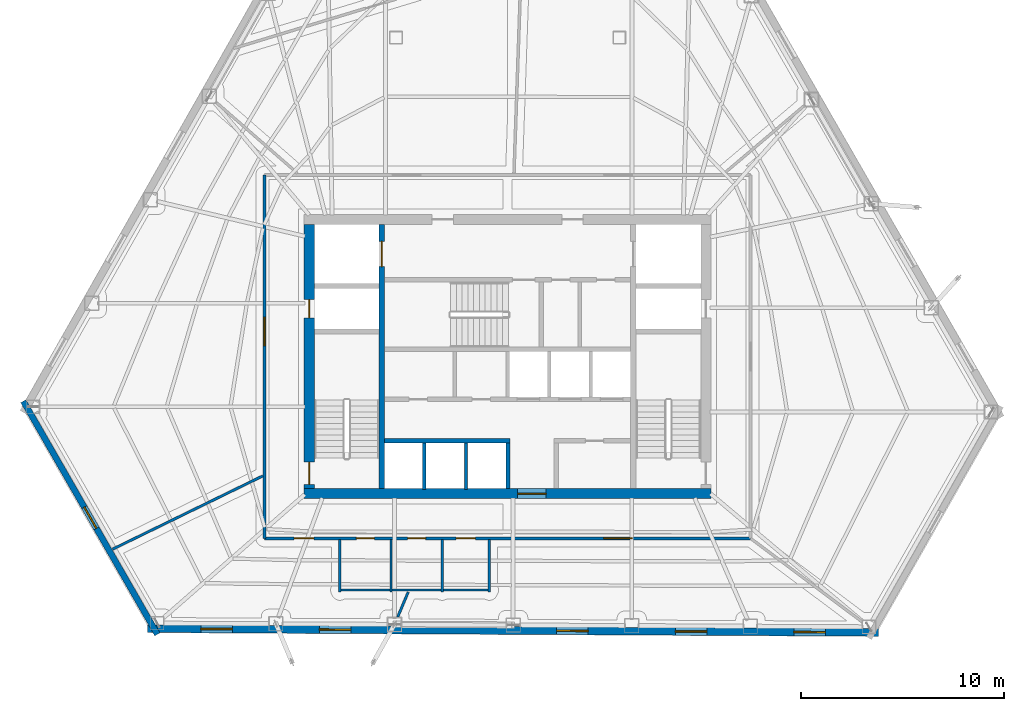
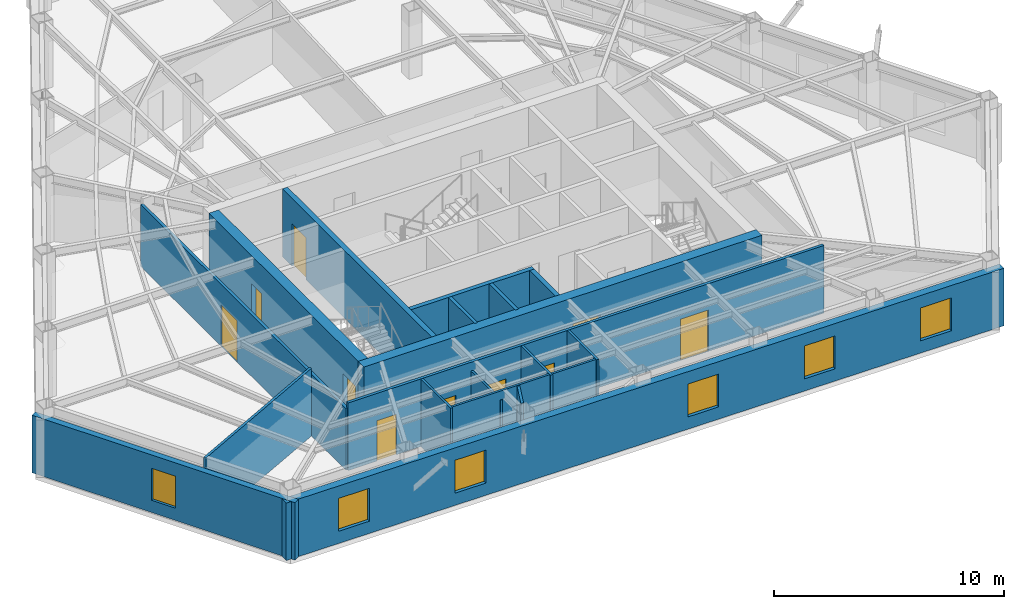
# One storey, part 7 of 13: 18 walls, 10 doors, 6 windows, 16 openings.
"""IFC4 building model written with IfcOpenShell, lengths in metres."""

from ifc_helpers import new_model, si_unit, direction, frame, frame_2d, origin, place, context, subcontext, project, spatial, rectangle, extrude, material, layer, layer_set, type_object, element, fill, save


model = new_model("IFC4")

# Units and contexts
model_context = context("Model", 3, precision=1e-05, world=origin(), true_north=direction((0.0, 1.0)))
body_context = subcontext(model_context, "Body", "Model", "MODEL_VIEW")
ifc_project = project(units=[si_unit("LENGTHUNIT", "METRE"), si_unit("AREAUNIT", "SQUARE_METRE"), si_unit("VOLUMEUNIT", "CUBIC_METRE"), si_unit("PLANEANGLEUNIT", "RADIAN"), si_unit("MASSUNIT", "GRAM", prefix="KILO")], contexts=[model_context])

# Site, building, storey
site_placement = place(None, origin())
site = spatial("IfcSite", under=ifc_project, at=site_placement, CompositionType="ELEMENT")
building_placement = place(site_placement, origin())
building = spatial("IfcBuilding", under=site, at=building_placement, Name="Kavelnor Concourse Tower", CompositionType="ELEMENT")
storey_placement = place(building_placement, frame((0.0, 0.0, 108.60009765625)))
storey = spatial("IfcBuildingStorey", under=building, at=storey_placement, Name="L27", CompositionType="ELEMENT", Elevation=108.60009765625)

# Wall, opening, door
ifc_material_1 = material(Name="Concrete C60/75", Category="concrete")
ifc_layer_1 = layer(ifc_material_1, 0.5, Name="Concrete C60/75")
ifc_layer_set_1 = layer_set([ifc_layer_1], Name="Concrete C60/75")
wall_type_1 = type_object("IfcWallType", Name="WL-CORE-Z2-500", PredefinedType="SOLIDWALL", material=ifc_layer_set_1)
wall_1_placement = place(storey_placement, frame((27.97998046875, 9.35009765625, 0.0), z_axis=(0.0, 0.0, 1.0), x_axis=(1.0, 0.0, 0.0)))
wall_1 = element("IfcWall", 1, at=wall_1_placement, inside=storey, type_object=wall_type_1, Name="L27 Central Core South Shear Wall", PredefinedType="SOLIDWALL", context=body_context, shape_type="SweptSolid", body=[
    extrude(rectangle(XDim=20.0400390625, YDim=0.5, at=frame_2d((10.02001953125, 0.0))), origin(), (0.0, 0.0, 1.0), 3.599853515625),
])
opening_1_placement = place(wall_1_placement, frame((10.52001953125, 0.0, 0.0)))
opening_1 = element("IfcOpeningElement", 2, at=opening_1_placement, cuts=wall_1, Name="Opening SD-140", PredefinedType="OPENING", context=body_context, shape_type="SweptSolid", body=[
    extrude(rectangle(XDim=1.39990234375, YDim=2.199951171875, at=frame_2d((0.699951171875, 1.10009765625))), frame((0.0, 0.260009765625, 0.0), z_axis=(0.0, -1.0, 0.0), x_axis=(1.0, 0.0, 0.0)), (0.0, 0.0, 1.0), 0.52001953125),
])
ifc_material_2 = material(Name="Solid-core hardwood timber", Category="wood")
door_type_1 = type_object("IfcDoorType", Name="DR-SUITE-ENTRY-1400", OperationType="NOTDEFINED", PredefinedType="DOOR", material=ifc_material_2)
door_1_placement = place(opening_1_placement, origin())
door_1 = element("IfcDoor", 3, at=door_1_placement, inside=storey, type_object=door_type_1, Name="L27 Passenger Lift Lobby Entry Door", OperationType="SINGLE_SWING_RIGHT", OverallHeight=2.199951171875, OverallWidth=1.39990234375, PredefinedType="DOOR", context=body_context, shape_type="SweptSolid", body=[
    extrude(rectangle(XDim=1.39990234375, YDim=2.199951171875, at=frame_2d((0.699951171875, 1.10009765625))), frame((0.0, 0.02490234375, 0.0), z_axis=(0.0, -1.0, 0.0), x_axis=(1.0, 0.0, 0.0)), (0.0, 0.0, 1.0), 0.050048828125),
])
fill(opening_1, door_1)

# Wall, openings, doors
wall_2_placement = place(storey_placement, frame((28.22998046875, 9.60009765625, 0.0), z_axis=(0.0, 0.0, 1.0), x_axis=(0.0, 1.0, 0.0)))
wall_2 = element("IfcWall", 4, at=wall_2_placement, inside=storey, type_object=wall_type_1, Name="L27 Central Core West Shear Wall", PredefinedType="SOLIDWALL", context=body_context, shape_type="SweptSolid", body=[
    extrude(rectangle(XDim=13.0, YDim=0.5, at=frame_2d((6.5, 0.0))), origin(), (0.0, 0.0, 1.0), 3.599853515625),
])
opening_2_placement = place(wall_2_placement, frame((0.199951171875, 0.0, 0.0)))
opening_2 = element("IfcOpeningElement", 5, at=opening_2_placement, cuts=wall_2, Name="Opening FD-110", PredefinedType="OPENING", context=body_context, shape_type="SweptSolid", body=[
    extrude(rectangle(XDim=1.10009765625, YDim=2.14990234375, at=frame_2d((0.550048828125, 1.074951171875))), frame((0.0, 0.260009765625, 0.0), z_axis=(0.0, -1.0, 0.0), x_axis=(1.0, 0.0, 0.0)), (0.0, 0.0, 1.0), 0.52001953125),
])
opening_3_placement = place(wall_2_placement, frame((8.39990234375, 0.0, 0.0)))
opening_3 = element("IfcOpeningElement", 6, at=opening_3_placement, cuts=wall_2, Name="Opening FD-090", PredefinedType="OPENING", context=body_context, shape_type="SweptSolid", body=[
    extrude(rectangle(XDim=0.89990234375, YDim=2.10009765625, at=frame_2d((0.449951171875, 1.050048828125))), frame((0.0, 0.260009765625, 0.0), z_axis=(0.0, -1.0, 0.0), x_axis=(1.0, 0.0, 0.0)), (0.0, 0.0, 1.0), 0.52001953125),
])
ifc_material_3 = material(Name="Steel Grade 350", Category="steel")
door_type_2 = type_object("IfcDoorType", Name="DR-RISER-FIRE-900", OperationType="NOTDEFINED", PredefinedType="DOOR", material=ifc_material_3)
door_2_placement = place(opening_3_placement, origin())
door_2 = element("IfcDoor", 7, at=door_2_placement, inside=storey, type_object=door_type_2, Name="L27 West Riser Access Door", OperationType="SINGLE_SWING_RIGHT", OverallHeight=2.10009765625, OverallWidth=0.89990234375, PredefinedType="DOOR", context=body_context, shape_type="SweptSolid", body=[
    extrude(rectangle(XDim=0.89990234375, YDim=2.10009765625, at=frame_2d((0.449951171875, 1.050048828125))), frame((0.0, 0.02490234375, 0.0), z_axis=(0.0, -1.0, 0.0), x_axis=(1.0, 0.0, 0.0)), (0.0, 0.0, 1.0), 0.050048828125),
])
fill(opening_3, door_2)
door_type_3 = type_object("IfcDoorType", Name="DR-STAIR-FIRE-1100", OperationType="NOTDEFINED", PredefinedType="DOOR", material=ifc_material_3)
door_3_placement = place(opening_2_placement, origin())
door_3 = element("IfcDoor", 8, at=door_3_placement, inside=storey, type_object=door_type_3, Name="L27 Stair ST1 Fire Door", OperationType="SINGLE_SWING_LEFT", OverallHeight=2.14990234375, OverallWidth=1.10009765625, PredefinedType="DOOR", context=body_context, shape_type="SweptSolid", body=[
    extrude(rectangle(XDim=1.10009765625, YDim=2.14990234375, at=frame_2d((0.550048828125, 1.074951171875))), frame((0.0, 0.02490234375, 0.0), z_axis=(0.0, -1.0, 0.0), x_axis=(1.0, 0.0, 0.0)), (0.0, 0.0, 1.0), 0.050048828125),
])
fill(opening_2, door_3)

# Wall, opening, window
ifc_material_4 = material(Name="Buff ironspot clay face brick masonry", Category="masonry")
ifc_layer_2 = layer(ifc_material_4, 0.300048828125, Name="Buff ironspot clay face brick masonry")
ifc_layer_set_2 = layer_set([ifc_layer_2], Name="Buff ironspot clay face brick masonry")
wall_type_2 = type_object("IfcWallType", Name="WL-EXT-BUFF-BRICK-FOLD-300", PredefinedType="STANDARD", material=ifc_layer_set_2)
wall_3_placement = place(storey_placement, frame((20.75439453125, 2.41943359375, 0.0), z_axis=(0.0, 0.0, 1.0), x_axis=(-0.49837034912, 0.866964240969, 0.0)))
wall_3 = element("IfcWall", 9, at=wall_3_placement, inside=storey, type_object=wall_type_2, Name="L27 Exterior Brick Facade Wall E2", PredefinedType="STANDARD", context=body_context, shape_type="SweptSolid", body=[
    extrude(rectangle(XDim=13.245849609375, YDim=0.300048828125, at=frame_2d((6.623046875, 0.0))), origin(), (0.0, 0.0, 1.0), 3.058837890625),
])
opening_4_placement = place(wall_3_placement, frame((6.02294921875, 0.0, 0.64990234375)))
opening_4 = element("IfcOpeningElement", 10, at=opening_4_placement, cuts=wall_3, Name="Opening W-05", PredefinedType="OPENING", context=body_context, shape_type="SweptSolid", body=[
    extrude(rectangle(XDim=1.199951171875, YDim=1.699951171875, at=frame_2d((0.60009765625, 0.85009765625))), frame((0.0, 0.16015625, 0.0), z_axis=(0.0, -1.0, 0.0), x_axis=(1.0, 0.0, 0.0)), (0.0, 0.0, 1.0), 0.320068359375),
])
ifc_material_5 = material(Name="Double low-E argon insulated glazing", Category="glass")
window_type_1 = type_object("IfcWindowType", Name="WIN-FOLD-1200", PartitioningType="SINGLE_PANEL", PredefinedType="WINDOW", material=ifc_material_5)
window_1_placement = place(opening_4_placement, origin())
window_1 = element("IfcWindow", 11, at=window_1_placement, inside=storey, type_object=window_type_1, Name="L27 Chamfer-Fold Facet Window C1", OverallHeight=1.699951171875, OverallWidth=1.199951171875, PartitioningType="SINGLE_PANEL", PredefinedType="WINDOW", context=body_context, shape_type="SweptSolid", body=[
    extrude(rectangle(XDim=1.199951171875, YDim=1.699951171875, at=frame_2d((0.60009765625, 0.85009765625))), frame((0.0, 0.030029296875, 0.0), z_axis=(0.0, -1.0, 0.0), x_axis=(1.0, 0.0, 0.0)), (0.0, 0.0, 1.0), 0.06005859375),
])
fill(opening_4, window_1)

# Wall, openings, windows
ifc_material_6 = material(Name="Red-ochre clay face brick masonry", Category="masonry")
ifc_layer_3 = layer(ifc_material_6, 0.3798828125, Name="Red-ochre clay face brick masonry")
ifc_layer_set_3 = layer_set([ifc_layer_3], Name="Red-ochre clay face brick masonry")
wall_type_3 = type_object("IfcWallType", Name="WL-EXT-RED-BRICK-PIER-380", PredefinedType="STANDARD", material=ifc_layer_set_3)
wall_4_placement = place(storey_placement, frame((56.27685546875, 2.512451171875, 0.0), z_axis=(0.0, 0.0, 1.0), x_axis=(-0.999986545033, 0.005187461141, 0.0)))
wall_4 = element("IfcWall", 12, at=wall_4_placement, inside=storey, type_object=wall_type_3, Name="L27 Exterior Brick Facade Wall E3", PredefinedType="STANDARD", context=body_context, shape_type="SweptSolid", body=[
    extrude(rectangle(XDim=36.003662109375, YDim=0.3798828125, at=frame_2d((18.001953125, 0.0))), origin(), (0.0, 0.0, 1.0), 3.058837890625),
])
opening_5_placement = place(wall_4_placement, frame((31.83203125, 0.0, 0.64990234375)))
opening_5 = element("IfcOpeningElement", 13, at=opening_5_placement, cuts=wall_4, Name="Opening W-02", PredefinedType="OPENING", context=body_context, shape_type="SweptSolid", body=[
    extrude(rectangle(XDim=1.550048828125, YDim=1.75, at=frame_2d((0.77490234375, 0.875))), frame((0.0, 0.199951171875, 0.0), z_axis=(0.0, -1.0, 0.0), x_axis=(1.0, 0.0, 0.0)), (0.0, 0.0, 1.0), 0.39990234375),
])
opening_6_placement = place(wall_4_placement, frame((25.990966796875, 0.0, 0.64990234375)))
opening_6 = element("IfcOpeningElement", 14, at=opening_6_placement, cuts=wall_4, Name="Opening W-02", PredefinedType="OPENING", context=body_context, shape_type="SweptSolid", body=[
    extrude(rectangle(XDim=1.550048828125, YDim=1.75, at=frame_2d((0.77490234375, 0.875))), frame((0.0, 0.199951171875, 0.0), z_axis=(0.0, -1.0, 0.0), x_axis=(1.0, 0.0, 0.0)), (0.0, 0.0, 1.0), 0.39990234375),
])
opening_7_placement = place(wall_4_placement, frame((14.308837890625, 0.0, 0.64990234375)))
opening_7 = element("IfcOpeningElement", 15, at=opening_7_placement, cuts=wall_4, Name="Opening W-02", PredefinedType="OPENING", context=body_context, shape_type="SweptSolid", body=[
    extrude(rectangle(XDim=1.550048828125, YDim=1.75, at=frame_2d((0.77490234375, 0.875))), frame((0.0, 0.199951171875, 0.0), z_axis=(0.0, -1.0, 0.0), x_axis=(1.0, 0.0, 0.0)), (0.0, 0.0, 1.0), 0.39990234375),
])
opening_8_placement = place(wall_4_placement, frame((8.4677734375, 0.0, 0.64990234375)))
opening_8 = element("IfcOpeningElement", 16, at=opening_8_placement, cuts=wall_4, Name="Opening W-02", PredefinedType="OPENING", context=body_context, shape_type="SweptSolid", body=[
    extrude(rectangle(XDim=1.550048828125, YDim=1.75, at=frame_2d((0.77490234375, 0.875))), frame((0.0, 0.199951171875, 0.0), z_axis=(0.0, -1.0, 0.0), x_axis=(1.0, 0.0, 0.0)), (0.0, 0.0, 1.0), 0.39990234375),
])
opening_9_placement = place(wall_4_placement, frame((2.626708984375, 0.0, 0.64990234375)))
opening_9 = element("IfcOpeningElement", 17, at=opening_9_placement, cuts=wall_4, Name="Opening W-02", PredefinedType="OPENING", context=body_context, shape_type="SweptSolid", body=[
    extrude(rectangle(XDim=1.550048828125, YDim=1.75, at=frame_2d((0.77490234375, 0.875))), frame((0.0, 0.199951171875, 0.0), z_axis=(0.0, -1.0, 0.0), x_axis=(1.0, 0.0, 0.0)), (0.0, 0.0, 1.0), 0.39990234375),
])
window_type_2 = type_object("IfcWindowType", Name="WIN-PIER-Z2-1650", PartitioningType="SINGLE_PANEL", PredefinedType="WINDOW", material=ifc_material_5)
window_2_placement = place(opening_5_placement, origin())
window_2 = element("IfcWindow", 18, at=window_2_placement, inside=storey, type_object=window_type_2, Name="L27 Deep-Set Brick Pier Window F1-B0", OverallHeight=1.75, OverallWidth=1.550048828125, PartitioningType="SINGLE_PANEL", PredefinedType="WINDOW", context=body_context, shape_type="SweptSolid", body=[
    extrude(rectangle(XDim=1.550048828125, YDim=1.75, at=frame_2d((0.77490234375, 0.875))), frame((0.0, 0.030029296875, 0.0), z_axis=(0.0, -1.0, 0.0), x_axis=(1.0, 0.0, 0.0)), (0.0, 0.0, 1.0), 0.06005859375),
])
fill(opening_5, window_2)
window_3_placement = place(opening_6_placement, origin())
window_3 = element("IfcWindow", 19, at=window_3_placement, inside=storey, type_object=window_type_2, Name="L27 Deep-Set Brick Pier Window F1-B1", OverallHeight=1.75, OverallWidth=1.550048828125, PartitioningType="SINGLE_PANEL", PredefinedType="WINDOW", context=body_context, shape_type="SweptSolid", body=[
    extrude(rectangle(XDim=1.550048828125, YDim=1.75, at=frame_2d((0.77490234375, 0.875))), frame((0.0, 0.030029296875, 0.0), z_axis=(0.0, -1.0, 0.0), x_axis=(1.0, 0.0, 0.0)), (0.0, 0.0, 1.0), 0.06005859375),
])
fill(opening_6, window_3)
window_4_placement = place(opening_7_placement, origin())
window_4 = element("IfcWindow", 20, at=window_4_placement, inside=storey, type_object=window_type_2, Name="L27 Deep-Set Brick Pier Window F1-B3", OverallHeight=1.75, OverallWidth=1.550048828125, PartitioningType="SINGLE_PANEL", PredefinedType="WINDOW", context=body_context, shape_type="SweptSolid", body=[
    extrude(rectangle(XDim=1.550048828125, YDim=1.75, at=frame_2d((0.77490234375, 0.875))), frame((0.0, 0.030029296875, 0.0), z_axis=(0.0, -1.0, 0.0), x_axis=(1.0, 0.0, 0.0)), (0.0, 0.0, 1.0), 0.06005859375),
])
fill(opening_7, window_4)
window_5_placement = place(opening_8_placement, origin())
window_5 = element("IfcWindow", 21, at=window_5_placement, inside=storey, type_object=window_type_2, Name="L27 Deep-Set Brick Pier Window F1-B4", OverallHeight=1.75, OverallWidth=1.550048828125, PartitioningType="SINGLE_PANEL", PredefinedType="WINDOW", context=body_context, shape_type="SweptSolid", body=[
    extrude(rectangle(XDim=1.550048828125, YDim=1.75, at=frame_2d((0.77490234375, 0.875))), frame((0.0, 0.030029296875, 0.0), z_axis=(0.0, -1.0, 0.0), x_axis=(1.0, 0.0, 0.0)), (0.0, 0.0, 1.0), 0.06005859375),
])
fill(opening_8, window_5)
window_6_placement = place(opening_9_placement, origin())
window_6 = element("IfcWindow", 22, at=window_6_placement, inside=storey, type_object=window_type_2, Name="L27 Deep-Set Brick Pier Window F1-B5", OverallHeight=1.75, OverallWidth=1.550048828125, PartitioningType="SINGLE_PANEL", PredefinedType="WINDOW", context=body_context, shape_type="SweptSolid", body=[
    extrude(rectangle(XDim=1.550048828125, YDim=1.75, at=frame_2d((0.77490234375, 0.875))), frame((0.0, 0.030029296875, 0.0), z_axis=(0.0, -1.0, 0.0), x_axis=(1.0, 0.0, 0.0)), (0.0, 0.0, 1.0), 0.06005859375),
])
fill(opening_9, window_6)

# Wall, opening, door
ifc_material_7 = material(Name="Gypsum plasterboard on light-gauge steel studs", Category="steel")
ifc_layer_4 = layer(ifc_material_7, 0.14501953125, Name="Gypsum plasterboard on light-gauge steel studs")
ifc_layer_set_4 = layer_set([ifc_layer_4], Name="Gypsum plasterboard on light-gauge steel studs")
wall_type_4 = type_object("IfcWallType", Name="WL-INT-CORR-145", PredefinedType="PARTITIONING", material=ifc_layer_set_4)
wall_5_placement = place(storey_placement, frame((26.030029296875, 25.050048828125, 0.0), z_axis=(0.0, 0.0, 1.0), x_axis=(0.0, -1.0, 0.0)))
wall_5 = element("IfcWall", 23, at=wall_5_placement, inside=storey, type_object=wall_type_4, Name="L27 Corridor Wall WL-L27-CR-03", PredefinedType="PARTITIONING", context=body_context, shape_type="SweptSolid", body=[
    extrude(rectangle(XDim=17.900146484375, YDim=0.14501953125, at=frame_2d((8.9501953125, 0.0))), origin(), (0.0, 0.0, 1.0), 3.287841796875),
])
opening_10_placement = place(wall_5_placement, frame((7.01611328125, 0.0, 0.0)))
opening_10 = element("IfcOpeningElement", 24, at=opening_10_placement, cuts=wall_5, Name="Opening SD-140", PredefinedType="OPENING", context=body_context, shape_type="SweptSolid", body=[
    extrude(rectangle(XDim=1.39990234375, YDim=2.199951171875, at=frame_2d((0.699951171875, 1.10009765625))), frame((0.0, 0.08251953125, 0.0), z_axis=(0.0, -1.0, 0.0), x_axis=(1.0, 0.0, 0.0)), (0.0, 0.0, 1.0), 0.1650390625),
])
door_4_placement = place(opening_10_placement, origin())
door_4 = element("IfcDoor", 25, at=door_4_placement, inside=storey, type_object=door_type_1, Name="L27 Architectural Design Studio 04 Door", OperationType="SINGLE_SWING_RIGHT", OverallHeight=2.199951171875, OverallWidth=1.39990234375, PredefinedType="DOOR", context=body_context, shape_type="SweptSolid", body=[
    extrude(rectangle(XDim=1.39990234375, YDim=2.199951171875, at=frame_2d((0.699951171875, 1.10009765625))), frame((0.0, 0.02490234375, 0.0), z_axis=(0.0, -1.0, 0.0), x_axis=(1.0, 0.0, 0.0)), (0.0, 0.0, 1.0), 0.050048828125),
])
fill(opening_10, door_4)

# Wall, openings, doors
wall_6_placement = place(storey_placement, frame((26.030029296875, 7.14990234375, 0.0), z_axis=(0.0, 0.0, 1.0), x_axis=(1.0, 0.0, 0.0)))
wall_6 = element("IfcWall", 26, at=wall_6_placement, inside=storey, type_object=wall_type_4, Name="L27 Corridor Wall WL-L27-CR-04", PredefinedType="PARTITIONING", context=body_context, shape_type="SweptSolid", body=[
    extrude(rectangle(XDim=23.93994140625, YDim=0.14501953125, at=frame_2d((11.969970703125, 0.0))), origin(), (0.0, 0.0, 1.0), 3.599853515625),
])
opening_11_placement = place(wall_6_placement, frame((4.530029296875, 0.0, 0.0)))
opening_11 = element("IfcOpeningElement", 27, at=opening_11_placement, cuts=wall_6, Name="Opening WD-088", PredefinedType="OPENING", context=body_context, shape_type="SweptSolid", body=[
    extrude(rectangle(XDim=0.8798828125, YDim=2.10009765625, at=frame_2d((0.43994140625, 1.050048828125))), frame((0.0, 0.08251953125, 0.0), z_axis=(0.0, -1.0, 0.0), x_axis=(1.0, 0.0, 0.0)), (0.0, 0.0, 1.0), 0.1650390625),
])
opening_12_placement = place(wall_6_placement, frame((7.050048828125, 0.0, 0.0)))
opening_12 = element("IfcOpeningElement", 28, at=opening_12_placement, cuts=wall_6, Name="Opening WD-088", PredefinedType="OPENING", context=body_context, shape_type="SweptSolid", body=[
    extrude(rectangle(XDim=0.8798828125, YDim=2.10009765625, at=frame_2d((0.43994140625, 1.050048828125))), frame((0.0, 0.08251953125, 0.0), z_axis=(0.0, -1.0, 0.0), x_axis=(1.0, 0.0, 0.0)), (0.0, 0.0, 1.0), 0.1650390625),
])
opening_13_placement = place(wall_6_placement, frame((9.429931640625, 0.0, 0.0)))
opening_13 = element("IfcOpeningElement", 29, at=opening_13_placement, cuts=wall_6, Name="Opening WD-096", PredefinedType="OPENING", context=body_context, shape_type="SweptSolid", body=[
    extrude(rectangle(XDim=0.9599609375, YDim=2.10009765625, at=frame_2d((0.47998046875, 1.050048828125))), frame((0.0, 0.08251953125, 0.0), z_axis=(0.0, -1.0, 0.0), x_axis=(1.0, 0.0, 0.0)), (0.0, 0.0, 1.0), 0.1650390625),
])
opening_14_placement = place(wall_6_placement, frame((1.45556640625, 0.0, 0.0)))
opening_14 = element("IfcOpeningElement", 30, at=opening_14_placement, cuts=wall_6, Name="Opening OD-098", PredefinedType="OPENING", context=body_context, shape_type="SweptSolid", body=[
    extrude(rectangle(XDim=0.97998046875, YDim=2.14990234375, at=frame_2d((0.489990234375, 1.074951171875))), frame((0.0, 0.08251953125, 0.0), z_axis=(0.0, -1.0, 0.0), x_axis=(1.0, 0.0, 0.0)), (0.0, 0.0, 1.0), 0.1650390625),
])
opening_15_placement = place(wall_6_placement, frame((16.71435546875, 0.0, 0.0)))
opening_15 = element("IfcOpeningElement", 31, at=opening_15_placement, cuts=wall_6, Name="Opening SD-140", PredefinedType="OPENING", context=body_context, shape_type="SweptSolid", body=[
    extrude(rectangle(XDim=1.39990234375, YDim=2.199951171875, at=frame_2d((0.699951171875, 1.10009765625))), frame((0.0, 0.08251953125, 0.0), z_axis=(0.0, -1.0, 0.0), x_axis=(1.0, 0.0, 0.0)), (0.0, 0.0, 1.0), 0.1650390625),
])
door_type_4 = type_object("IfcDoorType", Name="DR-OFFICE-980", OperationType="NOTDEFINED", PredefinedType="DOOR", material=ifc_material_2)
door_5_placement = place(opening_14_placement, origin())
door_5 = element("IfcDoor", 32, at=door_5_placement, inside=storey, type_object=door_type_4, Name="L27 Architectural Design Studio 05 Door", OperationType="SINGLE_SWING_LEFT", OverallHeight=2.14990234375, OverallWidth=0.97998046875, PredefinedType="DOOR", context=body_context, shape_type="SweptSolid", body=[
    extrude(rectangle(XDim=0.97998046875, YDim=2.14990234375, at=frame_2d((0.489990234375, 1.074951171875))), frame((0.0, 0.02490234375, 0.0), z_axis=(0.0, -1.0, 0.0), x_axis=(1.0, 0.0, 0.0)), (0.0, 0.0, 1.0), 0.050048828125),
])
fill(opening_14, door_5)
door_6_placement = place(opening_15_placement, origin())
door_6 = element("IfcDoor", 33, at=door_6_placement, inside=storey, type_object=door_type_1, Name="L27 Architectural Design Studio 06 Door", OperationType="SINGLE_SWING_RIGHT", OverallHeight=2.199951171875, OverallWidth=1.39990234375, PredefinedType="DOOR", context=body_context, shape_type="SweptSolid", body=[
    extrude(rectangle(XDim=1.39990234375, YDim=2.199951171875, at=frame_2d((0.699951171875, 1.10009765625))), frame((0.0, 0.02490234375, 0.0), z_axis=(0.0, -1.0, 0.0), x_axis=(1.0, 0.0, 0.0)), (0.0, 0.0, 1.0), 0.050048828125),
])
fill(opening_15, door_6)
door_type_5 = type_object("IfcDoorType", Name="DR-WC-ACC-960", OperationType="NOTDEFINED", PredefinedType="DOOR", material=ifc_material_2)
door_7_placement = place(opening_13_placement, origin())
door_7 = element("IfcDoor", 34, at=door_7_placement, inside=storey, type_object=door_type_5, Name="L27 Accessible WC Door", OperationType="SINGLE_SWING_LEFT", OverallHeight=2.10009765625, OverallWidth=0.9599609375, PredefinedType="DOOR", context=body_context, shape_type="SweptSolid", body=[
    extrude(rectangle(XDim=0.9599609375, YDim=2.10009765625, at=frame_2d((0.47998046875, 1.050048828125))), frame((0.0, 0.02490234375, 0.0), z_axis=(0.0, -1.0, 0.0), x_axis=(1.0, 0.0, 0.0)), (0.0, 0.0, 1.0), 0.050048828125),
])
fill(opening_13, door_7)
door_type_6 = type_object("IfcDoorType", Name="DR-WC-STD-880", OperationType="NOTDEFINED", PredefinedType="DOOR", material=ifc_material_2)
door_8_placement = place(opening_11_placement, origin())
door_8 = element("IfcDoor", 35, at=door_8_placement, inside=storey, type_object=door_type_6, Name="L27 Male WC Door", OperationType="SINGLE_SWING_LEFT", OverallHeight=2.10009765625, OverallWidth=0.8798828125, PredefinedType="DOOR", context=body_context, shape_type="SweptSolid", body=[
    extrude(rectangle(XDim=0.8798828125, YDim=2.10009765625, at=frame_2d((0.43994140625, 1.050048828125))), frame((0.0, 0.02490234375, 0.0), z_axis=(0.0, -1.0, 0.0), x_axis=(1.0, 0.0, 0.0)), (0.0, 0.0, 1.0), 0.050048828125),
])
fill(opening_11, door_8)
door_9_placement = place(opening_12_placement, origin())
door_9 = element("IfcDoor", 36, at=door_9_placement, inside=storey, type_object=door_type_6, Name="L27 Female WC Door", OperationType="SINGLE_SWING_RIGHT", OverallHeight=2.10009765625, OverallWidth=0.8798828125, PredefinedType="DOOR", context=body_context, shape_type="SweptSolid", body=[
    extrude(rectangle(XDim=0.8798828125, YDim=2.10009765625, at=frame_2d((0.43994140625, 1.050048828125))), frame((0.0, 0.02490234375, 0.0), z_axis=(0.0, -1.0, 0.0), x_axis=(1.0, 0.0, 0.0)), (0.0, 0.0, 1.0), 0.050048828125),
])
fill(opening_12, door_9)

# Walls
ifc_layer_5 = layer(ifc_material_7, 0.1650390625, Name="Gypsum plasterboard on light-gauge steel studs")
ifc_layer_set_5 = layer_set([ifc_layer_5], Name="Gypsum plasterboard on light-gauge steel studs")
wall_type_5 = type_object("IfcWallType", Name="WL-INT-FIRE-165", PredefinedType="PARTITIONING", material=ifc_layer_set_5)
for number, where, z_axis, x_axis, name in (
    (37, (33.89990234375, 9.550048828125, 0.0), (0.0, 0.0, 1.0), (0.0, 1.0, 0.0), "L27 Lift Shaft Divider LP7"),
    (38, (35.949951171875, 9.550048828125, 0.0), (0.0, 0.0, 1.0), (0.0, 1.0, 0.0), "L27 Lift Shaft Divider LP8"),
):
    element("IfcWall", number, at=place(storey_placement, frame(where, z_axis=z_axis, x_axis=x_axis)), inside=storey, type_object=wall_type_5, Name=name, PredefinedType="PARTITIONING", context=body_context, shape_type="SweptSolid", body=[
        extrude(rectangle(XDim=2.2900390625, YDim=0.1650390625, at=frame_2d((1.14501953125, 0.0))), origin(), (0.0, 0.0, 1.0), 3.599853515625),
    ])
ifc_layer_6 = layer(ifc_material_7, 0.125, Name="Gypsum plasterboard on light-gauge steel studs")
ifc_layer_set_6 = layer_set([ifc_layer_6], Name="Gypsum plasterboard on light-gauge steel studs")
wall_type_6 = type_object("IfcWallType", Name="WL-INT-SUITE-125", PredefinedType="PARTITIONING", material=ifc_layer_set_6)
wall_7_placement = place(storey_placement, frame((25.949462890625, 10.22265625, 0.0), z_axis=(0.0, 0.0, 1.0), x_axis=(-0.898788385453, -0.438382753054, 0.0)))
element("IfcWall", 39, at=wall_7_placement, inside=storey, type_object=wall_type_6, Name="L27 Radial Suite Partition 04", PredefinedType="PARTITIONING", context=body_context, shape_type="SweptSolid", body=[
    extrude(rectangle(XDim=8.23681640625, YDim=0.125, at=frame_2d((4.118408203125, 0.0))), origin(), (0.0, 0.0, 1.0), 3.599853515625),
])
wall_8_placement = place(storey_placement, frame((33.105712890625, 4.5, 0.0), z_axis=(0.0, 0.0, 1.0), x_axis=(-0.388819762507, -0.921313840276, 0.0)))
element("IfcWall", 40, at=wall_8_placement, inside=storey, type_object=wall_type_6, Name="L27 Radial Suite Partition 05", PredefinedType="PARTITIONING", context=body_context, shape_type="SweptSolid", body=[
    extrude(rectangle(XDim=1.33056640625, YDim=0.125, at=frame_2d((0.665283203125, 0.0))), origin(), (0.0, 0.0, 1.0), 3.599853515625),
])
ifc_layer_7 = layer(ifc_material_7, 0.110107421875, Name="Gypsum plasterboard on light-gauge steel studs")
ifc_layer_set_7 = layer_set([ifc_layer_7], Name="Gypsum plasterboard on light-gauge steel studs")
wall_type_7 = type_object("IfcWallType", Name="WL-INT-WC-110", PredefinedType="PLUMBINGWALL", material=ifc_layer_set_7)
wall_9_placement = place(storey_placement, frame((29.739990234375, 4.5, 0.0), z_axis=(0.0, 0.0, 1.0), x_axis=(0.0, 1.0, 0.0)))
element("IfcWall", 41, at=wall_9_placement, inside=storey, type_object=wall_type_7, Name="L27 Sanitary Partition WL-L27-WC-W", PredefinedType="PLUMBINGWALL", context=body_context, shape_type="SweptSolid", body=[
    extrude(rectangle(XDim=2.580078125, YDim=0.110107421875, at=frame_2d((1.2900390625, 0.0))), origin(), (0.0, 0.0, 1.0), 3.599853515625),
])
wall_10_placement = place(storey_placement, frame((32.260009765625, 4.5, 0.0), z_axis=(0.0, 0.0, 1.0), x_axis=(0.0, 1.0, 0.0)))
element("IfcWall", 42, at=wall_10_placement, inside=storey, type_object=wall_type_7, Name="L27 Sanitary Partition WL-L27-WC-D1", PredefinedType="PLUMBINGWALL", context=body_context, shape_type="SweptSolid", body=[
    extrude(rectangle(XDim=2.580078125, YDim=0.110107421875, at=frame_2d((1.2900390625, 0.0))), origin(), (0.0, 0.0, 1.0), 3.140869140625),
])
for number, where, z_axis, x_axis, name in (
    (43, (34.780029296875, 4.5, 0.0), (0.0, 0.0, 1.0), (0.0, 1.0, 0.0), "L27 Sanitary Partition WL-L27-WC-D2"),
    (44, (37.10009765625, 4.5, 0.0), (0.0, 0.0, 1.0), (0.0, 1.0, 0.0), "L27 Sanitary Partition WL-L27-WC-E"),
):
    element("IfcWall", number, at=place(storey_placement, frame(where, z_axis=z_axis, x_axis=x_axis)), inside=storey, type_object=wall_type_7, Name=name, PredefinedType="PLUMBINGWALL", context=body_context, shape_type="SweptSolid", body=[
        extrude(rectangle(XDim=2.580078125, YDim=0.110107421875, at=frame_2d((1.2900390625, 0.0))), origin(), (0.0, 0.0, 1.0), 3.599853515625),
    ])
wall_11_placement = place(storey_placement, frame((29.68994140625, 4.60009765625, 0.0), z_axis=(0.0, 0.0, 1.0), x_axis=(1.0, 0.0, 0.0)))
element("IfcWall", 45, at=wall_11_placement, inside=storey, type_object=wall_type_7, Name="L27 Sanitary Partition WL-L27-WC-S", PredefinedType="PLUMBINGWALL", context=body_context, shape_type="SweptSolid", body=[
    extrude(rectangle(XDim=7.4599609375, YDim=0.110107421875, at=frame_2d((3.72998046875, 0.0))), origin(), (0.0, 0.0, 1.0), 3.599853515625),
])
ifc_material_8 = material(Name="Concrete C50/60", Category="concrete")
ifc_layer_8 = layer(ifc_material_8, 0.219970703125, Name="Concrete C50/60")
ifc_layer_set_8 = layer_set([ifc_layer_8], Name="Concrete C50/60")
wall_type_8 = type_object("IfcWallType", Name="WL-SHAFT-220", PredefinedType="SOLIDWALL", material=ifc_layer_set_8)
wall_12_placement = place(storey_placement, frame((31.93994140625, 11.949951171875, 0.0), z_axis=(0.0, 0.0, 1.0), x_axis=(1.0, 0.0, 0.0)))
element("IfcWall", 46, at=wall_12_placement, inside=storey, type_object=wall_type_8, Name="L27 High-Rise Lift Bank North Wall", PredefinedType="SOLIDWALL", context=body_context, shape_type="SweptSolid", body=[
    extrude(rectangle(XDim=6.18994140625, YDim=0.219970703125, at=frame_2d((3.094970703125, 0.0))), origin(), (0.0, 0.0, 1.0), 3.599853515625),
])
wall_13_placement = place(storey_placement, frame((38.02001953125, 9.60009765625, 0.0), z_axis=(0.0, 0.0, 1.0), x_axis=(0.0, 1.0, 0.0)))
element("IfcWall", 47, at=wall_13_placement, inside=storey, type_object=wall_type_8, Name="L27 Lift Lobby Throat West Wall", PredefinedType="SOLIDWALL", context=body_context, shape_type="SweptSolid", body=[
    extrude(rectangle(XDim=2.239990234375, YDim=0.219970703125, at=frame_2d((1.1201171875, 0.0))), origin(), (0.0, 0.0, 1.0), 3.599853515625),
])

# Wall, opening, door
ifc_layer_9 = layer(ifc_material_8, 0.260009765625, Name="Concrete C50/60")
ifc_layer_set_9 = layer_set([ifc_layer_9], Name="Concrete C50/60")
wall_type_9 = type_object("IfcWallType", Name="WL-SHAFT-260", PredefinedType="SHEAR", material=ifc_layer_set_9)
wall_14_placement = place(storey_placement, frame((31.81005859375, 9.60009765625, 0.0), z_axis=(0.0, 0.0, 1.0), x_axis=(0.0, 1.0, 0.0)))
wall_14 = element("IfcWall", 48, at=wall_14_placement, inside=storey, type_object=wall_type_9, Name="L27 Core West Wing Shear Wall", PredefinedType="SHEAR", context=body_context, shape_type="SweptSolid", body=[
    extrude(rectangle(XDim=13.0, YDim=0.260009765625, at=frame_2d((6.5, 0.0))), origin(), (0.0, 0.0, 1.0), 3.599853515625),
])
opening_16_placement = place(wall_14_placement, frame((10.925048828125, 0.0, 0.0)))
opening_16 = element("IfcOpeningElement", 49, at=opening_16_placement, cuts=wall_14, Name="Opening LD-125", PredefinedType="OPENING", context=body_context, shape_type="SweptSolid", body=[
    extrude(rectangle(XDim=1.25, YDim=2.25, at=frame_2d((0.625, 1.125))), frame((0.0, 0.14013671875, 0.0), z_axis=(0.0, -1.0, 0.0), x_axis=(1.0, 0.0, 0.0)), (0.0, 0.0, 1.0), 0.280029296875),
])
door_type_7 = type_object("IfcDoorType", Name="DR-LIFT-SLIDING-1250", OperationType="NOTDEFINED", PredefinedType="DOOR", material=ifc_material_3)
door_10_placement = place(opening_16_placement, origin())
door_10 = element("IfcDoor", 50, at=door_10_placement, inside=storey, type_object=door_type_7, Name="L27 Emergency Lift FL1 Landing Door", OperationType="DOUBLE_DOOR_SLIDING", OverallHeight=2.25, OverallWidth=1.25, PredefinedType="DOOR", context=body_context, shape_type="SweptSolid", body=[
    extrude(rectangle(XDim=1.25, YDim=2.25, at=frame_2d((0.625, 1.125))), frame((0.0, 0.02490234375, 0.0), z_axis=(0.0, -1.0, 0.0), x_axis=(1.0, 0.0, 0.0)), (0.0, 0.0, 1.0), 0.050048828125),
])
fill(opening_16, door_10)

save(model, "model.ifc")
